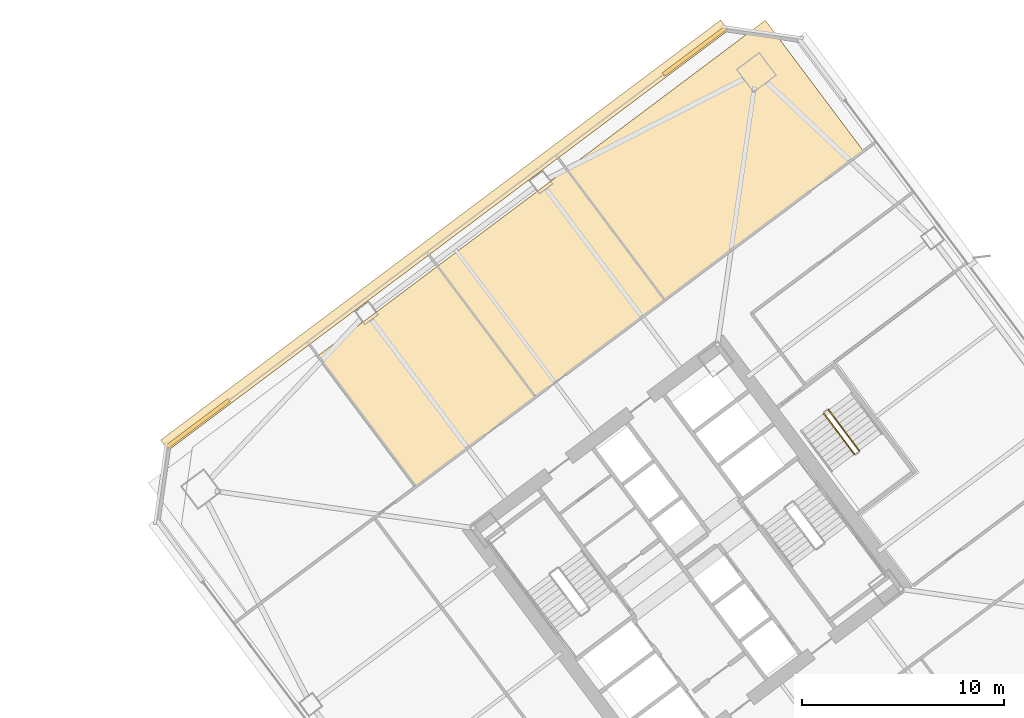
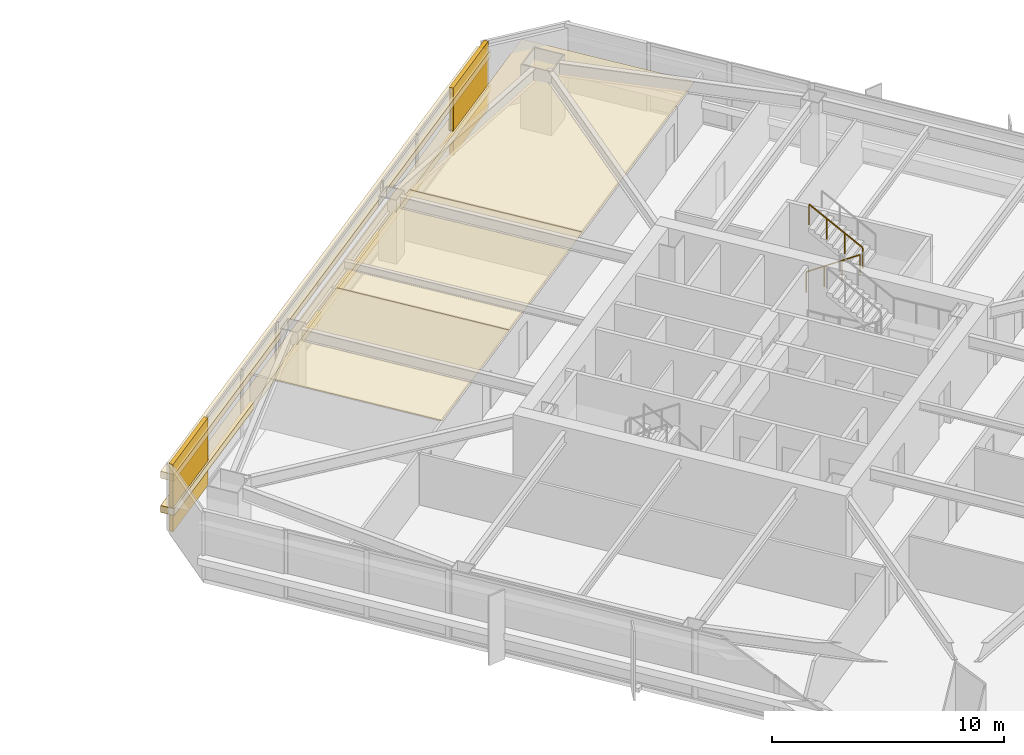
# One storey, part 48 of 49: 7 coverings, 2 railings.
"""IFC4 building model written with IfcOpenShell, lengths in metres."""

import ifcopenshell
import ifcopenshell.guid

model = None  # the IFC model being written
_history = None  # IfcOwnerHistory: only IFC2X3 demands one
_inside = {}  # id of a spatial element -> (the spatial element, [elements in it])
_under = {}  # id of a project, library or spatial element -> (it, [spatial elements below it])
_declared = {}  # id of a project -> (the project, [libraries it declares])
_typed = {}  # id of a type object -> (the type object, [elements of that type])
_made_of = {}  # id of a material, layer set ... -> (it, [elements and type objects made of it])


def new_model(schema):
    """Start an empty IFC model of exactly this schema.

    Asked for "IFC4X3", IfcOpenShell would pick the latest addendum, in which some entities
    have other attributes; the version numbers below select the first issue.
    IFC2X3 requires an IfcOwnerHistory on every rooted entity: one is made here for all.
    """
    global model, _history
    if schema == "IFC4X3":
        model = ifcopenshell.file(schema_version=(4, 3, 0, 0))
    else:
        model = ifcopenshell.file(schema=schema)
    _inside.clear()
    _under.clear()
    _declared.clear()
    _typed.clear()
    _made_of.clear()
    _history = None
    if model.schema == "IFC2X3":
        org = make("IfcOrganization", Name="unknown")
        user = make(
            "IfcPersonAndOrganization",
            ThePerson=make("IfcPerson", FamilyName="unknown"),
            TheOrganization=org,
        )
        app = make(
            "IfcApplication",
            ApplicationDeveloper=org,
            Version="unknown",
            ApplicationFullName="unknown",
            ApplicationIdentifier="unknown",
        )
        _history = make(
            "IfcOwnerHistory",
            OwningUser=user,
            OwningApplication=app,
            ChangeAction="ADDED",
            CreationDate=0,
        )
    return model


def make(cls, **values):
    """One entity of the class cls with the attributes given. An attribute that is None is left unset."""
    return model.create_entity(
        cls, **{name: value for name, value in values.items() if value is not None}
    )


def rooted(cls, **values):
    """An entity with a GlobalId (a new one), such as an element, a storey or a relation."""
    return make(cls, GlobalId=ifcopenshell.guid.new(), OwnerHistory=_history, **values)


def si_unit(unit_type, name, prefix=None):
    """IfcSIUnit, for example si_unit("LENGTHUNIT", "METRE", prefix="MILLI")."""
    return make("IfcSIUnit", UnitType=unit_type, Prefix=prefix, Name=name)


def assignment(units):
    """IfcUnitAssignment: the units of a project."""
    return None if units is None else make("IfcUnitAssignment", Units=units)


def point(xyz):
    """IfcCartesianPoint."""
    return None if xyz is None else make("IfcCartesianPoint", Coordinates=xyz)


def direction(xyz):
    """IfcDirection."""
    return None if xyz is None else make("IfcDirection", DirectionRatios=xyz)


def frame(location, z_axis=None, x_axis=None):
    """IfcAxis2Placement3D, a coordinate frame: its origin and axes. An axis left out is left unset."""
    return make(
        "IfcAxis2Placement3D",
        Location=point(location),
        Axis=direction(z_axis),
        RefDirection=direction(x_axis),
    )


def frame_2d(location, x_axis=None):
    """IfcAxis2Placement2D, a coordinate frame in the plane: its origin and x axis."""
    return make(
        "IfcAxis2Placement2D", Location=point(location), RefDirection=direction(x_axis)
    )


def origin():
    """The frame at (0, 0, 0) with its axes left unset."""
    return frame((0.0, 0.0, 0.0))


def origin_2d():
    """The frame at (0, 0) in the plane with its x axis left unset."""
    return frame_2d((0.0, 0.0))


def place(relative_to, where):
    """IfcLocalPlacement: puts the frame where relative to a parent placement (None: the world)."""
    return make(
        "IfcLocalPlacement", PlacementRelTo=relative_to, RelativePlacement=where
    )


def context(
    kind, dimensions, precision=None, world=None, true_north=None, identifier=None
):
    """IfcGeometricRepresentationContext, for example the 3D "Model" context."""
    return make(
        "IfcGeometricRepresentationContext",
        ContextIdentifier=identifier,
        ContextType=kind,
        CoordinateSpaceDimension=dimensions,
        Precision=precision,
        WorldCoordinateSystem=world,
        TrueNorth=true_north,
    )


def subcontext(parent, identifier, kind, view, scale=None):
    """IfcGeometricRepresentationSubContext, for example "Body" below "Model"."""
    return make(
        "IfcGeometricRepresentationSubContext",
        ContextIdentifier=identifier,
        ContextType=kind,
        ParentContext=parent,
        TargetScale=scale,
        TargetView=view,
    )


def project(units=None, contexts=None):
    """IfcProject with its units and contexts."""
    return rooted(
        "IfcProject",
        Name="project",
        RepresentationContexts=contexts,
        UnitsInContext=assignment(units),
    )


def spatial(cls, under=None, at=None, **own):
    """A site, building, storey or space (cls), placed at a placement, below another one or the project."""
    s = rooted(cls, ObjectPlacement=at, **own)
    if under is not None:
        _under.setdefault(under.id(), (under, []))[1].append(s)
    return s


def polyline(points):
    """IfcPolyline through the points."""
    return make("IfcPolyline", Points=[point(p) for p in points])


def profile(cls, at=None, kind="AREA", **sizes):
    """A parametric profile (cls). Its sizes go by their IFC names, for example OverallWidth=200.0."""
    return make(cls, ProfileType=kind, Position=at, **sizes)


def rectangle(**sizes):
    """IfcRectangleProfileDef."""
    return profile("IfcRectangleProfileDef", **sizes)


def outline(outer, holes=None, kind="AREA"):
    """IfcArbitraryClosedProfileDef: a profile drawn as a closed curve; with holes, ...WithVoids."""
    if holes is None:
        return make("IfcArbitraryClosedProfileDef", ProfileType=kind, OuterCurve=outer)
    return make(
        "IfcArbitraryProfileDefWithVoids",
        ProfileType=kind,
        OuterCurve=outer,
        InnerCurves=holes,
    )


def extrude(swept, where, along, depth):
    """IfcExtrudedAreaSolid: the profile swept, set in the frame where, extruded along a direction by depth."""
    return make(
        "IfcExtrudedAreaSolid",
        SweptArea=swept,
        Position=where,
        ExtrudedDirection=direction(along),
        Depth=depth,
    )


def shape(context_of_items, identifier, shape_type, items):
    """IfcShapeRepresentation: the items that make up one representation, for example the "Body"."""
    return make(
        "IfcShapeRepresentation",
        ContextOfItems=context_of_items,
        RepresentationIdentifier=identifier,
        RepresentationType=shape_type,
        Items=items,
    )


def material(Name=None, Category=None):
    """IfcMaterial."""
    return make("IfcMaterial", Name=Name, Category=Category)


def layer(
    of_material, thickness, ventilated=None, Name=None, Category=None, Priority=None
):
    """IfcMaterialLayer: one layer of a wall or slab, of a material (None: an air gap)."""
    return make(
        "IfcMaterialLayer",
        Material=of_material,
        LayerThickness=thickness,
        IsVentilated=ventilated,
        Name=Name,
        Category=Category,
        Priority=Priority,
    )


def layer_set(layers, Name=None):
    """IfcMaterialLayerSet."""
    return make("IfcMaterialLayerSet", MaterialLayers=layers, LayerSetName=Name)


def made_of(thing, what):
    """Note that an element or type object is made of a material, layer set ...; save() writes the relation."""
    if what is not None:
        _made_of.setdefault(what.id(), (what, []))[1].append(thing)
    return thing


def type_object(cls, material=None, **own):
    """A type object (cls), such as IfcWallType, which elements share."""
    return made_of(rooted(cls, **own), material)


def element(
    cls,
    number,
    at=None,
    inside=None,
    cuts=None,
    type_object=None,
    material=None,
    context=None,
    identifier="Body",
    shape_type=None,
    held_by="IfcProductDefinitionShape",
    body=None,
    shapes=None,
    **own,
):
    """One element of the class cls, such as IfcWall. Its Tag is "e" and its number.

    at: its placement. inside: the storey or other place that contains it. cuts: it is an
    opening in that element (IfcRelVoidsElement). A single representation is given by context,
    identifier, shape_type and body (its items); several are given by shapes. held_by: the class
    of the entity that holds the representations. save() writes the other relations.
    """
    e = rooted(cls, Tag="e%d" % number, ObjectPlacement=at, **own)
    if body is not None:
        shapes = [shape(context, identifier, shape_type, body)]
    if shapes is not None:
        e.Representation = make(held_by, Representations=shapes)
    if inside is not None:
        _inside.setdefault(inside.id(), (inside, []))[1].append(e)
    if cuts is not None:
        rooted(
            "IfcRelVoidsElement", RelatingBuildingElement=cuts, RelatedOpeningElement=e
        )
    if type_object is not None:
        _typed.setdefault(type_object.id(), (type_object, []))[1].append(e)
    return made_of(e, material)


def aggregate(whole, parts):
    """IfcRelAggregates: a whole, such as a stair, and the parts it consists of."""
    return rooted("IfcRelAggregates", RelatingObject=whole, RelatedObjects=parts)


def save(model, path):
    """Write the relations noted so far, then the file.

    IfcRelAggregates (storeys below a building ...), IfcRelContainedInSpatialStructure (elements
    in a storey), IfcRelDefinesByType, IfcRelAssociatesMaterial and IfcRelDeclares: one each for
    every whole, place, type object, material and project.
    """
    for whole, parts in _under.values():
        aggregate(whole, parts)
    for where, things in _inside.values():
        rooted(
            "IfcRelContainedInSpatialStructure",
            RelatedElements=things,
            RelatingStructure=where,
        )
    for kind, things in _typed.values():
        rooted("IfcRelDefinesByType", RelatedObjects=things, RelatingType=kind)
    for what, things in _made_of.values():
        rooted("IfcRelAssociatesMaterial", RelatedObjects=things, RelatingMaterial=what)
    for by, libraries in _declared.values():
        rooted("IfcRelDeclares", RelatingContext=by, RelatedDefinitions=libraries)
    model.write(path)


model = new_model("IFC4")

# Units and contexts
model_context = context("Model", 3, precision=1e-05, world=origin(), true_north=direction((0.0, 1.0)))
body_context = subcontext(model_context, "Body", "Model", "MODEL_VIEW")
ifc_project = project(units=[si_unit("LENGTHUNIT", "METRE"), si_unit("AREAUNIT", "SQUARE_METRE"), si_unit("VOLUMEUNIT", "CUBIC_METRE"), si_unit("PLANEANGLEUNIT", "RADIAN"), si_unit("MASSUNIT", "GRAM", prefix="KILO")], contexts=[model_context])

# Site, building, storey
site_placement = place(None, origin())
site = spatial("IfcSite", under=ifc_project, at=site_placement, CompositionType="ELEMENT")
building_placement = place(site_placement, origin())
building = spatial("IfcBuilding", under=site, at=building_placement, Name="Tashvorn Skyway Center", CompositionType="ELEMENT")
storey_placement = place(building_placement, frame((0.0, 0.0, 70.75)))
storey = spatial("IfcBuildingStorey", under=building, at=storey_placement, Name="L18", CompositionType="ELEMENT", Elevation=70.75)

# Coverings
ifc_material_1 = material(Name="Precast concrete C40/50", Category="concrete")
ifc_layer_1 = layer(ifc_material_1, 0.199951171875)
ifc_layer_set_1 = layer_set([ifc_layer_1], Name="Precast concrete C40/50")
covering_type_1 = type_object("IfcCoveringType", Name="COV-BRACE-CLAD", PredefinedType="CLADDING", material=ifc_layer_set_1)
for number, where, z_axis, x_axis, name in (
    (1, (89.783935546875, 38.68798828125, 0.0), (0.0, 0.0, 1.0), (0.799999996291, 0.600000004945, 0.0), "Tower 2 L18 North Unitised Curtain Wall Mega-Brace Cladding Band 1"),
    (2, (114.360107421875, 57.1201171875, 0.0), (0.0, 0.0, 1.0), (0.799999996291, 0.600000004945, 0.0), "Tower 2 L18 North Unitised Curtain Wall Mega-Brace Cladding Band 2"),
):
    element("IfcCovering", number, at=place(storey_placement, frame(where, z_axis=z_axis, x_axis=x_axis)), inside=storey, type_object=covering_type_1, Name=name, PredefinedType="CLADDING", context=body_context, shape_type="SweptSolid", body=[
        extrude(rectangle(XDim=3.840087890625, YDim=0.199951171875, at=origin_2d()), origin(), (0.0, 0.0, 1.0), 3.550048828125),
    ])
ifc_material_2 = material(Name="Mineral-fibre acoustic ceiling tile on suspended grid")
ifc_layer_2 = layer(ifc_material_2, 0.02001953125)
ifc_layer_set_2 = layer_set([ifc_layer_2], Name="Mineral-fibre acoustic ceiling tile on suspended grid")
covering_type_2 = type_object("IfcCoveringType", Name="COV-CEIL-20", PredefinedType="CEILING", material=ifc_layer_set_2)
covering_1_placement = place(storey_placement, frame((0.0, 0.0, 2.68310546875)))
element("IfcCovering", 3, at=covering_1_placement, inside=storey, type_object=covering_type_2, Name="Tower 2 L18 Conference Room Acoustic Ceiling", PredefinedType="CEILING", context=body_context, shape_type="SweptSolid", body=[
    extrude(outline(polyline([(100.580078125, 35.56005859375), (106.5, 40.0), (101.639892578125, 46.47998046875), (95.719970703125, 42.0400390625), (100.580078125, 35.56005859375)])), origin(), (0.0, 0.0, 1.0), 0.019775390625),
])
covering_2_placement = place(storey_placement, frame((0.0, 0.0, 2.68310546875)))
element("IfcCovering", 4, at=covering_2_placement, inside=storey, type_object=covering_type_2, Name="Tower 2 L18 Boardroom Acoustic Ceiling", PredefinedType="CEILING", context=body_context, shape_type="SweptSolid", body=[
    extrude(outline(polyline([(106.5, 40.0), (112.89990234375, 44.800048828125), (108.0400390625, 51.280029296875), (101.639892578125, 46.47998046875), (106.5, 40.0)])), origin(), (0.0, 0.0, 1.0), 0.019775390625),
])
covering_3_placement = place(storey_placement, frame((0.0, 0.0, 2.68310546875)))
element("IfcCovering", 5, at=covering_3_placement, inside=storey, type_object=covering_type_2, Name="Tower 2 L18 Gallery Showroom Acoustic Ceiling", PredefinedType="CEILING", context=body_context, shape_type="SweptSolid", body=[
    extrude(outline(polyline([(112.89990234375, 44.800048828125), (122.739990234375, 52.179931640625), (117.8798828125, 58.659912109375), (108.0400390625, 51.280029296875), (112.89990234375, 44.800048828125)])), origin(), (0.0, 0.0, 1.0), 0.019775390625),
])
ifc_material_3 = material(Name="Perforated ceramic-coated bronze aluminium solar screen", Category="aluminium")
ifc_layer_3 = layer(ifc_material_3, 0.85009765625)
ifc_layer_set_3 = layer_set([ifc_layer_3], Name="Perforated ceramic-coated bronze aluminium solar screen")
covering_type_3 = type_object("IfcCoveringType", Name="COV-SOLAR-BAND", PredefinedType="CLADDING", material=ifc_layer_set_3)
for number, where, z_axis, x_axis, name in (
    (6, (101.988037109375, 48.01611328125, 0.919921875), (0.0, 0.0, 1.0), (0.799999996291, 0.600000004945, 0.0), "L18 Perforated Ceramic-Metal Solar Screen Louvre Band North 1"),
    (7, (101.988037109375, 48.01611328125, 2.7197265625), (0.0, 0.0, 1.0), (0.799999996291, 0.600000004945, 0.0), "L18 Perforated Ceramic-Metal Solar Screen Louvre Band North 2"),
):
    element("IfcCovering", number, at=place(storey_placement, frame(where, z_axis=z_axis, x_axis=x_axis)), inside=storey, type_object=covering_type_3, Name=name, PredefinedType="CLADDING", context=body_context, shape_type="SweptSolid", body=[
        extrude(rectangle(XDim=34.679931640625, YDim=0.639892578125, at=origin_2d()), origin(), (0.0, 0.0, 1.0), 0.360107421875),
    ])

# Railings
ifc_material_4 = material(Name="Painted galvanized steel S355", Category="steel")
railing_type = type_object("IfcRailingType", Name="RAIL-STGUARD-1100", PredefinedType="GUARDRAIL", material=ifc_material_4)
railing_1_placement = place(storey_placement, frame((120.77587890625, 39.181884765625, 0.177490234375)))
element("IfcRailing", 8, at=railing_1_placement, inside=storey, type_object=railing_type, Name="L18 ST-T2-3 stair guard 1", PredefinedType="GUARDRAIL", context=body_context, shape_type="SweptSolid", body=[
    extrude(rectangle(XDim=0.048095703125, YDim=0.048095703125, at=origin_2d()), frame((0.0, 0.0, 1.076171875), z_axis=(0.506829628838, -0.67563646195, 0.535386868177), x_axis=(0.799941867976, 0.600077501544, 0.0)), (0.0, 0.0, 1.0), 2.983642578125),
    extrude(rectangle(XDim=0.0419921875, YDim=0.0419921875, at=origin_2d()), origin(), (0.0, 0.0, 1.0), 1.052001953125),
    extrude(rectangle(XDim=0.0419921875, YDim=0.0419921875, at=origin_2d()), frame((0.504150390625, -0.671875, 0.532470703125)), (0.0, 0.0, 1.0), 1.052001953125),
    extrude(rectangle(XDim=0.0419921875, YDim=0.0419921875, at=origin_2d()), frame((1.008056640625, -1.343994140625, 1.06494140625)), (0.0, 0.0, 1.0), 1.052001953125),
    extrude(rectangle(XDim=0.0419921875, YDim=0.0419921875, at=origin_2d()), frame((1.51220703125, -2.015869140625, 1.597412109375)), (0.0, 0.0, 1.0), 1.052001953125),
])
railing_2_placement = place(storey_placement, frame((122.528076171875, 37.345947265625, 1.952392578125)))
element("IfcRailing", 9, at=railing_2_placement, inside=storey, type_object=railing_type, Name="L18 ST-T2-3 stair guard 3", PredefinedType="GUARDRAIL", context=body_context, shape_type="SweptSolid", body=[
    extrude(rectangle(XDim=0.048095703125, YDim=0.048095703125, at=origin_2d()), frame((0.0, 0.0, 1.076171875), z_axis=(-0.506718600913, 0.675679348675, 0.535437836974), x_axis=(-0.800023250257, -0.599968998406, 0.0)), (0.0, 0.0, 1.0), 2.98388671875),
    extrude(rectangle(XDim=0.0419921875, YDim=0.0419921875, at=origin_2d()), origin(), (0.0, 0.0, 1.0), 1.052001953125),
    extrude(rectangle(XDim=0.0419921875, YDim=0.0419921875, at=origin_2d()), frame((-0.50390625, 0.672119140625, 0.532470703125)), (0.0, 0.0, 1.0), 1.052001953125),
    extrude(rectangle(XDim=0.0419921875, YDim=0.0419921875, at=origin_2d()), frame((-1.008056640625, 1.343994140625, 1.065185546875)), (0.0, 0.0, 1.0), 1.052001953125),
    extrude(rectangle(XDim=0.0419921875, YDim=0.0419921875, at=origin_2d()), frame((-1.511962890625, 2.01611328125, 1.59765625)), (0.0, 0.0, 1.0), 1.052001953125),
])

save(model, "model.ifc")
